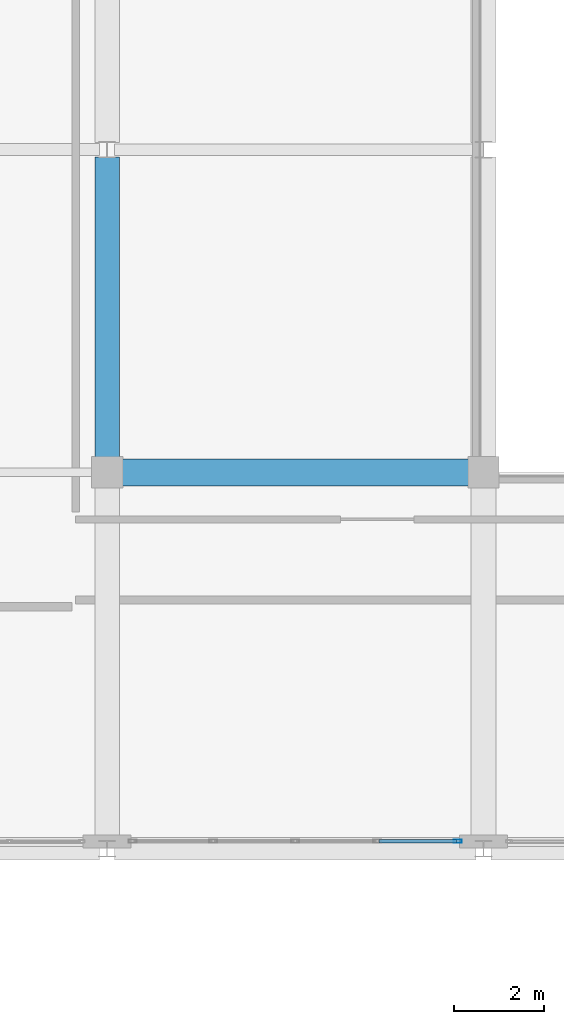
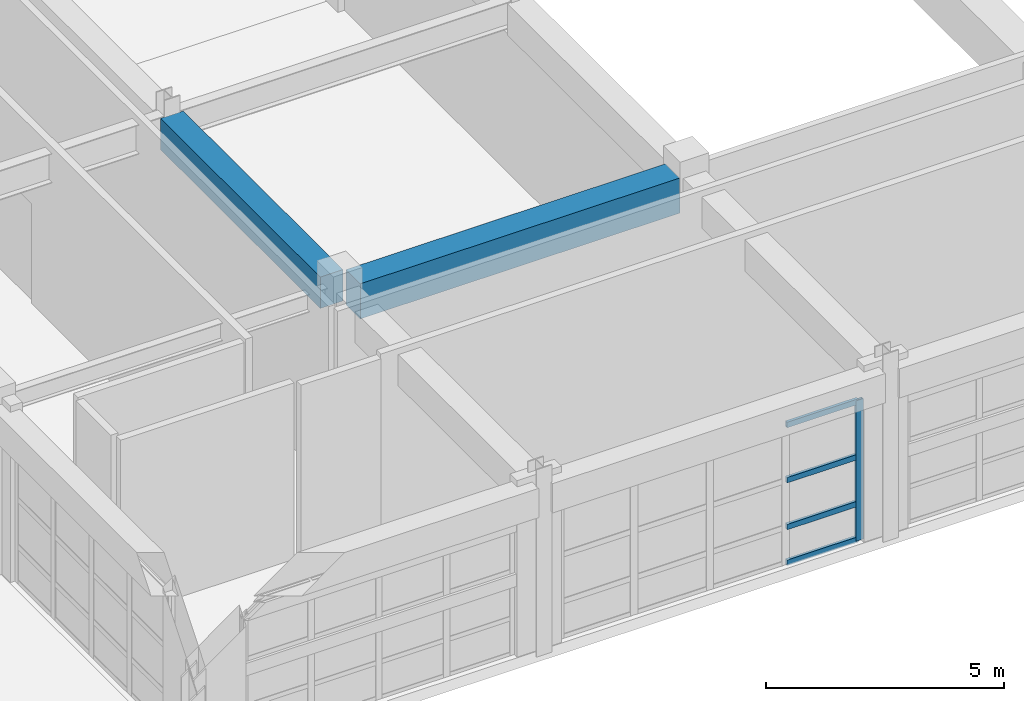
# One storey, part 34 of 123: 5 members, 2 beams, 1 element without a shape of its own.
"""IFC4 building model written with IfcOpenShell, lengths in metres."""

from ifc_helpers import new_model, si_unit, direction, frame, origin, origin_2d, place, context, subcontext, project, spatial, rectangle, hollow_rectangle, extrude, material, layer, layer_set, material_profile, profile_set, type_object, element, aggregate, save


model = new_model("IFC4")

# Units and contexts
model_context = context("Model", 3, precision=1e-05, world=origin(), true_north=direction((0.0, 1.0)))
body_context = subcontext(model_context, "Body", "Model", "MODEL_VIEW")
ifc_project = project(units=[si_unit("LENGTHUNIT", "METRE"), si_unit("AREAUNIT", "SQUARE_METRE"), si_unit("VOLUMEUNIT", "CUBIC_METRE"), si_unit("PLANEANGLEUNIT", "RADIAN"), si_unit("MASSUNIT", "GRAM", prefix="KILO")], contexts=[model_context])

# Site, building, storey
site_placement = place(None, origin())
site = spatial("IfcSite", under=ifc_project, at=site_placement, CompositionType="ELEMENT")
building_placement = place(site_placement, origin())
building = spatial("IfcBuilding", under=site, at=building_placement, Name="Quendrovan Civic Courthouse", CompositionType="ELEMENT")
storey_placement = place(building_placement, frame((0.0, 0.0, 5.39990234375)))
storey = spatial("IfcBuildingStorey", under=building, at=storey_placement, Name="L02", CompositionType="ELEMENT", Elevation=5.39990234375)

# Beams
ifc_material_1 = material(Name="Concrete C40/50", Category="concrete")
ifc_material_profile_1 = material_profile(ifc_material_1, rectangle(XDim=0.550048828125, YDim=0.800048828125, at=origin_2d()), Name="RC-BM-550x800")
ifc_profile_set_1 = profile_set([ifc_material_profile_1], Name="Concrete C40/50")
beam_type_1 = type_object("IfcBeamType", Name="BM-RC800", PredefinedType="BEAM", material=ifc_profile_set_1)
beam_1_placement = place(storey_placement, frame((42.0, 73.530029296875, 3.960205078125), z_axis=(0.0, 1.0, 0.0), x_axis=(-1.0, 0.0, 0.0)))
element("IfcBeam", 1, at=beam_1_placement, inside=storey, type_object=beam_type_1, Name="L02 Girder Y0646", PredefinedType="BEAM", context=body_context, shape_type="SweptSolid", body=[
    extrude(rectangle(XDim=0.550048828125, YDim=0.800048828125, at=origin_2d()), origin(), (0.0, 0.0, 1.0), 6.703857421875),
])
ifc_material_profile_2 = material_profile(ifc_material_1, rectangle(XDim=0.60009765625, YDim=0.89990234375, at=origin_2d()), Name="RC-BM-600x900")
ifc_profile_set_2 = profile_set([ifc_material_profile_2], Name="Concrete C40/50")
beam_type_2 = type_object("IfcBeamType", Name="BM-RC900", PredefinedType="BEAM", material=ifc_profile_set_2)
beam_2_placement = place(storey_placement, frame((42.330078125, 73.199951171875, 3.91015625), z_axis=(1.0, 0.0, 0.0), x_axis=(0.0, 1.0, 0.0)))
element("IfcBeam", 2, at=beam_2_placement, inside=storey, type_object=beam_type_2, Name="L02 Girder X0541", PredefinedType="BEAM", context=body_context, shape_type="SweptSolid", body=[
    extrude(rectangle(XDim=0.60009765625, YDim=0.89990234375, at=origin_2d()), origin(), (0.0, 0.0, 1.0), 7.739990234375),
])

# Curtain wall, members
ifc_material_2 = material(Name="Bronze anodised aluminium and low-E glass", Category="aluminium")
ifc_layer = layer(ifc_material_2, 0.179931640625, Name="Bronze anodised aluminium and low-E glass")
ifc_layer_set = layer_set([ifc_layer], Name="Bronze anodised aluminium and low-E glass")
curtain_wall_type = type_object("IfcCurtainWallType", Name="CW-U73x36", PredefinedType="USERDEFINED", material=ifc_layer_set)
curtain_wall_placement = place(storey_placement, origin())
curtain_wall = element("IfcCurtainWall", 3, at=curtain_wall_placement, inside=storey, type_object=curtain_wall_type, Name="L02 Unitised Hurricane Curtain Wall CW-112", ObjectType="UNITISED CURTAIN WALL", PredefinedType="USERDEFINED")
ifc_material_3 = material(Name="Bronze anodised aluminium", Category="aluminium")
ifc_material_profile_3 = material_profile(ifc_material_3, hollow_rectangle(XDim=0.070068359375, YDim=0.179931640625, WallThickness=0.00390625, at=origin_2d()), Name="CW-MULL-70x180")
ifc_profile_set_3 = profile_set([ifc_material_profile_3], Name="Bronze anodised aluminium")
member_type_1 = type_object("IfcMemberType", Name="CW-MULL-A", PredefinedType="MULLION", material=ifc_profile_set_3)
member_1_placement = place(storey_placement, frame((49.827880859375, 64.965087890625, 0.0), z_axis=(0.0, 0.0, 1.0), x_axis=(0.0, -1.0, 0.0)))
member_1 = element("IfcMember", 4, at=member_1_placement, type_object=member_type_1, Name="CW-112 mullion 1", PredefinedType="MULLION", context=body_context, shape_type="SweptSolid", body=[
    extrude(hollow_rectangle(XDim=0.070068359375, YDim=0.179931640625, WallThickness=0.00390625, at=origin_2d()), origin(), (0.0, 0.0, 1.0), 3.60009765625),
])
ifc_material_profile_4 = material_profile(ifc_material_3, hollow_rectangle(XDim=0.070068359375, YDim=0.139892578125, WallThickness=0.00390625, at=origin_2d()), Name="CW-TRAN-70x140")
ifc_profile_set_4 = profile_set([ifc_material_profile_4], Name="Bronze anodised aluminium")
member_type_2 = type_object("IfcMemberType", Name="CW-TRAN-A", PredefinedType="USERDEFINED", material=ifc_profile_set_4)
member_2_placement = place(storey_placement, frame((49.79296875, 64.965087890625, 0.03515625), z_axis=(-1.0, 0.0, 0.0), x_axis=(0.0, -1.0, 0.0)))
member_2 = element("IfcMember", 5, at=member_2_placement, type_object=member_type_2, Name="CW-112 transom 1.1", ObjectType="TRANSOM", PredefinedType="USERDEFINED", context=body_context, shape_type="SweptSolid", body=[
    extrude(hollow_rectangle(XDim=0.070068359375, YDim=0.139892578125, WallThickness=0.00390625, at=origin_2d()), origin(), (0.0, 0.0, 1.0), 1.7265625),
])
member_3_placement = place(storey_placement, frame((49.79296875, 64.965087890625, 0.9501953125), z_axis=(-1.0, 0.0, 0.0), x_axis=(0.0, -1.0, 0.0)))
member_3 = element("IfcMember", 6, at=member_3_placement, type_object=member_type_2, Name="CW-112 transom 1.2", ObjectType="TRANSOM", PredefinedType="USERDEFINED", context=body_context, shape_type="SweptSolid", body=[
    extrude(hollow_rectangle(XDim=0.070068359375, YDim=0.139892578125, WallThickness=0.00390625, at=origin_2d()), origin(), (0.0, 0.0, 1.0), 1.7265625),
])
member_4_placement = place(storey_placement, frame((49.79296875, 64.965087890625, 2.150146484375), z_axis=(-1.0, 0.0, 0.0), x_axis=(0.0, -1.0, 0.0)))
member_4 = element("IfcMember", 7, at=member_4_placement, type_object=member_type_2, Name="CW-112 transom 1.3", ObjectType="TRANSOM", PredefinedType="USERDEFINED", context=body_context, shape_type="SweptSolid", body=[
    extrude(hollow_rectangle(XDim=0.070068359375, YDim=0.139892578125, WallThickness=0.00390625, at=origin_2d()), origin(), (0.0, 0.0, 1.0), 1.7265625),
])
member_5_placement = place(storey_placement, frame((49.79296875, 64.965087890625, 3.565185546875), z_axis=(-1.0, 0.0, 0.0), x_axis=(0.0, -1.0, 0.0)))
member_5 = element("IfcMember", 8, at=member_5_placement, type_object=member_type_2, Name="CW-112 transom 1.4", ObjectType="TRANSOM", PredefinedType="USERDEFINED", context=body_context, shape_type="SweptSolid", body=[
    extrude(hollow_rectangle(XDim=0.070068359375, YDim=0.139892578125, WallThickness=0.00390625, at=origin_2d()), origin(), (0.0, 0.0, 1.0), 1.7265625),
])
aggregate(curtain_wall, [member_1, member_2, member_3, member_4, member_5])

save(model, "model.ifc")
